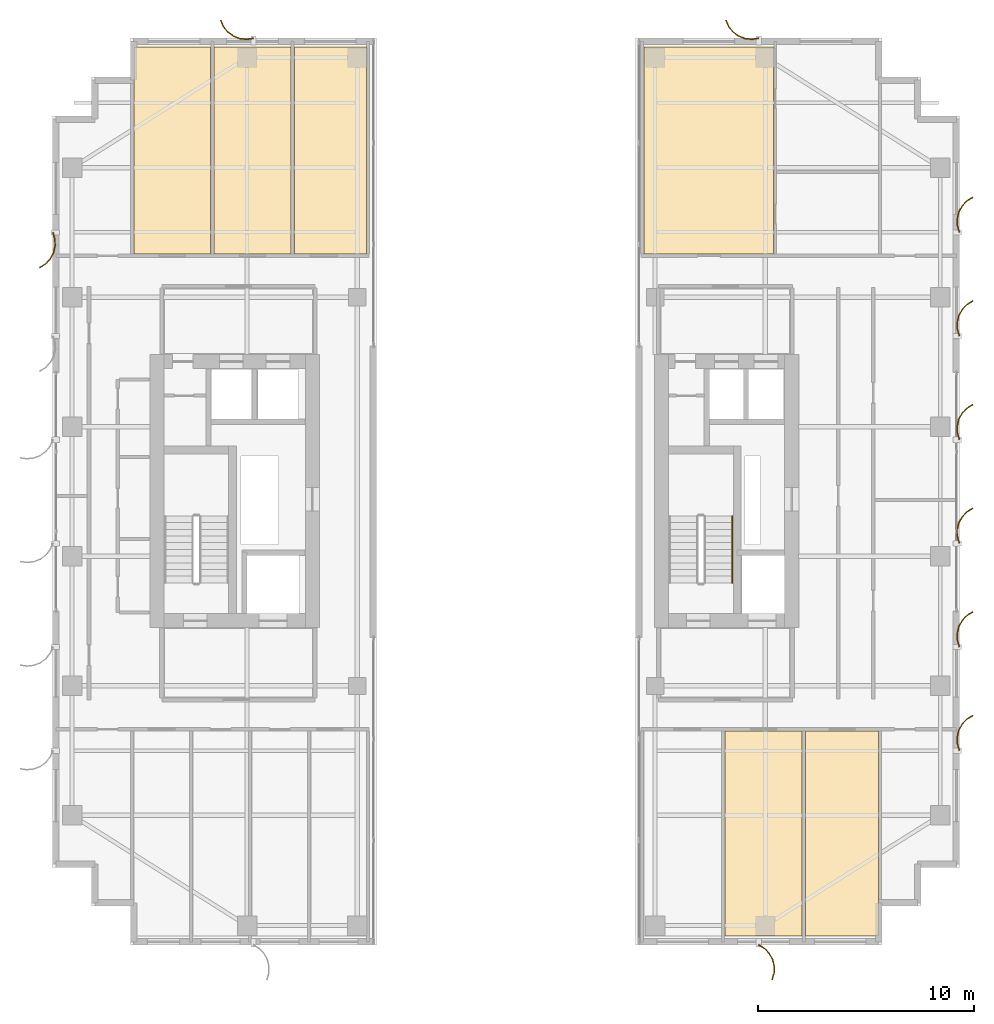
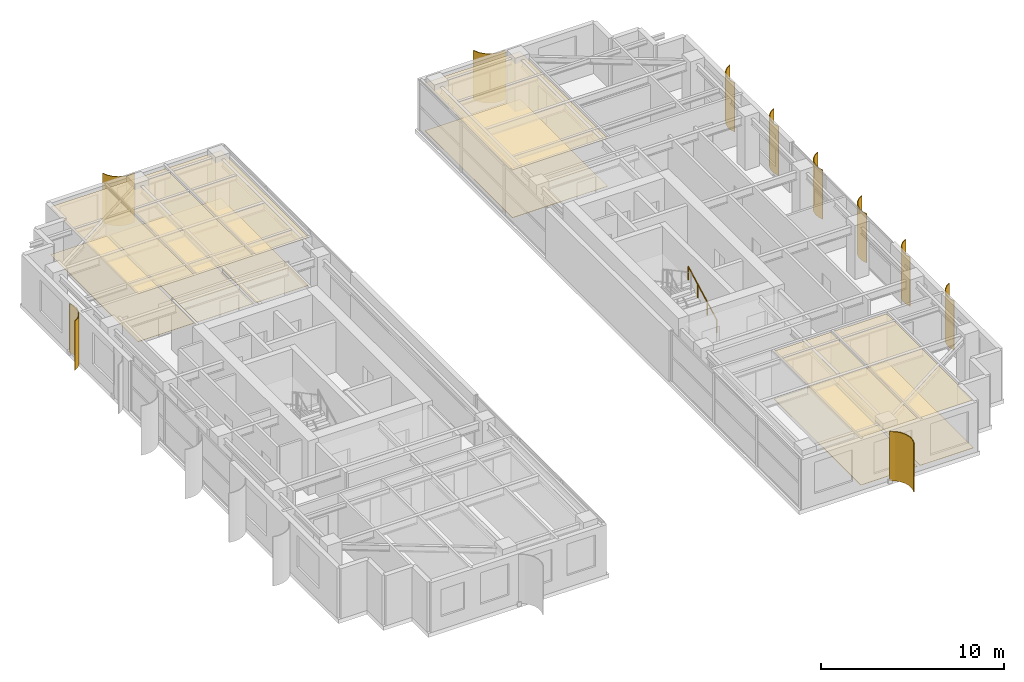
# One storey, part 22 of 22: 12 coverings, 10 shading devices, 1 railing.
"""IFC4 building model written with IfcOpenShell, lengths in metres."""

from ifc_helpers import new_model, si_unit, direction, frame, origin, origin_2d, place, context, subcontext, project, spatial, polyline, circle, outline, extrude, source, transform, mapped, material, layer, layer_set, type_object, element, save


model = new_model("IFC4")

# Units and contexts
model_context = context("Model", 3, precision=1e-05, world=origin(), true_north=direction((0.0, 1.0)))
body_context = subcontext(model_context, "Body", "Model", "MODEL_VIEW")
ifc_project = project(units=[si_unit("LENGTHUNIT", "METRE"), si_unit("AREAUNIT", "SQUARE_METRE"), si_unit("VOLUMEUNIT", "CUBIC_METRE"), si_unit("PLANEANGLEUNIT", "RADIAN"), si_unit("MASSUNIT", "GRAM", prefix="KILO")], contexts=[model_context])

# Site, building, storey
site_placement = place(None, origin())
site = spatial("IfcSite", under=ifc_project, at=site_placement, CompositionType="ELEMENT")
building_placement = place(site_placement, origin())
building = spatial("IfcBuilding", under=site, at=building_placement, Name="Khoralis Quay Care Tower", CompositionType="ELEMENT")
storey_placement = place(building_placement, frame((0.0, 0.0, 188.10009765625)))
storey = spatial("IfcBuildingStorey", under=building, at=storey_placement, Name="L49", CompositionType="ELEMENT", Elevation=188.10009765625)

# Coverings
ifc_material_1 = material(Name="Mineral-fibre acoustic ceiling tile")
ifc_layer_1 = layer(ifc_material_1, 0.01806640625)
ifc_layer_set_1 = layer_set([ifc_layer_1], Name="Mineral-fibre acoustic ceiling tile")
covering_type_1 = type_object("IfcCoveringType", Name="COV-CEIL-AC18", PredefinedType="CEILING", material=ifc_layer_set_1)
covering_1_placement = place(storey_placement, frame((0.0, 0.0, 3.19189453125)))
element("IfcCovering", 1, at=covering_1_placement, inside=storey, type_object=covering_type_1, Name="Suspended Acoustic Ceiling SP-L49-WN-COM0", PredefinedType="CEILING", context=body_context, shape_type="SweptSolid", body=[
    extrude(outline(polyline([(6.760009765625, 32.0), (10.31005859375, 32.0), (10.31005859375, 41.580078125), (6.760009765625, 41.580078125), (6.760009765625, 32.0)])), origin(), (0.0, 0.0, 1.0), 0.01806640625),
])
covering_2_placement = place(storey_placement, frame((0.0, 0.0, 3.19189453125)))
element("IfcCovering", 2, at=covering_2_placement, inside=storey, type_object=covering_type_1, Name="Suspended Acoustic Ceiling SP-L49-WN-COM1", PredefinedType="CEILING", context=body_context, shape_type="SweptSolid", body=[
    extrude(outline(polyline([(10.469970703125, 32.0), (14.030029296875, 32.0), (14.030029296875, 41.580078125), (10.469970703125, 41.580078125), (10.469970703125, 32.0)])), origin(), (0.0, 0.0, 1.0), 0.01806640625),
])
covering_3_placement = place(storey_placement, frame((0.0, 0.0, 3.19189453125)))
element("IfcCovering", 3, at=covering_3_placement, inside=storey, type_object=covering_type_1, Name="Suspended Acoustic Ceiling SP-L49-WN-COM2", PredefinedType="CEILING", context=body_context, shape_type="SweptSolid", body=[
    extrude(outline(polyline([(14.18994140625, 32.0), (17.52001953125, 32.0), (17.52001953125, 41.580078125), (14.18994140625, 41.580078125), (14.18994140625, 32.0)])), origin(), (0.0, 0.0, 1.0), 0.01806640625),
])
covering_4_placement = place(storey_placement, frame((0.0, 0.0, 3.19189453125)))
element("IfcCovering", 4, at=covering_4_placement, inside=storey, type_object=covering_type_1, Name="Suspended Acoustic Ceiling SP-L49-ES-COM1", PredefinedType="CEILING", context=body_context, shape_type="SweptSolid", body=[
    extrude(outline(polyline([(34.1298828125, 0.419921875), (37.7099609375, 0.419921875), (37.7099609375, 9.909912109375), (34.1298828125, 9.909912109375), (34.1298828125, 0.419921875)])), origin(), (0.0, 0.0, 1.0), 0.01806640625),
])
covering_5_placement = place(storey_placement, frame((0.0, 0.0, 3.19189453125)))
element("IfcCovering", 5, at=covering_5_placement, inside=storey, type_object=covering_type_1, Name="Suspended Acoustic Ceiling SP-L49-ES-COM2", PredefinedType="CEILING", context=body_context, shape_type="SweptSolid", body=[
    extrude(outline(polyline([(37.8701171875, 0.419921875), (41.239990234375, 0.419921875), (41.239990234375, 9.909912109375), (37.8701171875, 9.909912109375), (37.8701171875, 0.419921875)])), origin(), (0.0, 0.0, 1.0), 0.01806640625),
])
covering_6_placement = place(storey_placement, frame((0.0, 0.0, 3.19189453125)))
element("IfcCovering", 6, at=covering_6_placement, inside=storey, type_object=covering_type_1, Name="Suspended Acoustic Ceiling SP-L49-EN-STU0", PredefinedType="CEILING", context=body_context, shape_type="SweptSolid", body=[
    extrude(outline(polyline([(30.3798828125, 32.0), (36.39111328125, 32.0), (36.39111328125, 41.580078125), (30.3798828125, 41.580078125), (30.3798828125, 32.0)])), origin(), (0.0, 0.0, 1.0), 0.01806640625),
])
ifc_material_2 = material(Name="Porcelain and non-slip vinyl flooring")
ifc_layer_2 = layer(ifc_material_2, 0.02001953125)
ifc_layer_set_2 = layer_set([ifc_layer_2], Name="Porcelain and non-slip vinyl flooring")
covering_type_2 = type_object("IfcCoveringType", Name="COV-FLOOR-20", PredefinedType="FLOORING", material=ifc_layer_set_2)
covering_7_placement = place(storey_placement, origin())
element("IfcCovering", 7, at=covering_7_placement, inside=storey, type_object=covering_type_2, Name="Resilient Healthcare Flooring SP-L49-WN-COM0", PredefinedType="FLOORING", context=body_context, shape_type="SweptSolid", body=[
    extrude(outline(polyline([(6.760009765625, 32.0), (10.31005859375, 32.0), (10.31005859375, 41.580078125), (6.760009765625, 41.580078125), (6.760009765625, 32.0)])), origin(), (0.0, 0.0, 1.0), 0.02001953125),
])
covering_8_placement = place(storey_placement, origin())
element("IfcCovering", 8, at=covering_8_placement, inside=storey, type_object=covering_type_2, Name="Resilient Healthcare Flooring SP-L49-WN-COM1", PredefinedType="FLOORING", context=body_context, shape_type="SweptSolid", body=[
    extrude(outline(polyline([(10.469970703125, 32.0), (14.030029296875, 32.0), (14.030029296875, 41.580078125), (10.469970703125, 41.580078125), (10.469970703125, 32.0)])), origin(), (0.0, 0.0, 1.0), 0.02001953125),
])
covering_9_placement = place(storey_placement, origin())
element("IfcCovering", 9, at=covering_9_placement, inside=storey, type_object=covering_type_2, Name="Resilient Healthcare Flooring SP-L49-WN-COM2", PredefinedType="FLOORING", context=body_context, shape_type="SweptSolid", body=[
    extrude(outline(polyline([(14.18994140625, 32.0), (17.52001953125, 32.0), (17.52001953125, 41.580078125), (14.18994140625, 41.580078125), (14.18994140625, 32.0)])), origin(), (0.0, 0.0, 1.0), 0.02001953125),
])
covering_10_placement = place(storey_placement, origin())
element("IfcCovering", 10, at=covering_10_placement, inside=storey, type_object=covering_type_2, Name="Resilient Healthcare Flooring SP-L49-ES-COM1", PredefinedType="FLOORING", context=body_context, shape_type="SweptSolid", body=[
    extrude(outline(polyline([(34.1298828125, 0.419921875), (37.7099609375, 0.419921875), (37.7099609375, 9.909912109375), (34.1298828125, 9.909912109375), (34.1298828125, 0.419921875)])), origin(), (0.0, 0.0, 1.0), 0.02001953125),
])
covering_11_placement = place(storey_placement, origin())
element("IfcCovering", 11, at=covering_11_placement, inside=storey, type_object=covering_type_2, Name="Resilient Healthcare Flooring SP-L49-ES-COM2", PredefinedType="FLOORING", context=body_context, shape_type="SweptSolid", body=[
    extrude(outline(polyline([(37.8701171875, 0.419921875), (41.239990234375, 0.419921875), (41.239990234375, 9.909912109375), (37.8701171875, 9.909912109375), (37.8701171875, 0.419921875)])), origin(), (0.0, 0.0, 1.0), 0.02001953125),
])
covering_12_placement = place(storey_placement, origin())
element("IfcCovering", 12, at=covering_12_placement, inside=storey, type_object=covering_type_2, Name="Resilient Healthcare Flooring SP-L49-EN-STU0", PredefinedType="FLOORING", context=body_context, shape_type="SweptSolid", body=[
    extrude(outline(polyline([(30.3798828125, 32.0), (36.39111328125, 32.0), (36.39111328125, 41.580078125), (30.3798828125, 41.580078125), (30.3798828125, 32.0)])), origin(), (0.0, 0.0, 1.0), 0.02001953125),
])

# Railing
ifc_material_3 = material(Name="Brushed stainless steel", Category="steel")
railing_type = type_object("IfcRailingType", Name="RL-HAND-900", PredefinedType="HANDRAIL", material=ifc_material_3)
railing_placement = place(storey_placement, frame((34.469970703125, 16.77001953125, 0.16357421875)))
element("IfcRailing", 13, at=railing_placement, inside=storey, type_object=railing_type, Name="L49 ST-T2 stair handrail 1", PredefinedType="HANDRAIL", context=body_context, shape_type="SweptSolid", body=[
    extrude(circle(Radius=0.02392578125, at=origin_2d()), frame((0.0, 0.0, 0.8759765625), z_axis=(0.0, 0.884376766648, 0.46677375099), x_axis=(-1.0, 0.0, 0.0)), (0.0, 0.0, 1.0), 3.50537109375),
    extrude(circle(Radius=0.02099609375, at=origin_2d()), origin(), (0.0, 0.0, 1.0), 0.851806640625),
    extrude(circle(Radius=0.02099609375, at=origin_2d()), frame((0.0, 1.033447265625, 0.54541015625)), (0.0, 0.0, 1.0), 0.851806640625),
    extrude(circle(Radius=0.02099609375, at=origin_2d()), frame((0.0, 2.066650390625, 1.0908203125)), (0.0, 0.0, 1.0), 0.851806640625),
    extrude(circle(Radius=0.02099609375, at=origin_2d()), frame((0.0, 3.10009765625, 1.63623046875)), (0.0, 0.0, 1.0), 0.851806640625),
])

# Shading devices
ifc_material_4 = material(Name="Brushed pale anodised aluminium", Category="aluminium")
ifc_layer_3 = layer(ifc_material_4, 0.044921875)
ifc_layer_set_3 = layer_set([ifc_layer_3], Name="Brushed pale anodised aluminium")
shading_device_type = type_object("IfcShadingDeviceType", Name="SHD-FIN-1250", PredefinedType="USERDEFINED", material=ifc_layer_set_3)
shared_shape_1 = source(origin(), body_context, "Body", "SweptSolid", [
    extrude(outline(polyline([(0.0, 0.0), (0.17041015625, 0.2783203125), (0.4072265625, 0.5029296875), (0.694091796875, 0.658447265625), (1.01123046875, 0.734619140625), (1.33740234375, 0.72607421875), (1.650390625, 0.633544921875), (1.632080078125, 0.59228515625), (1.330322265625, 0.681640625), (1.015869140625, 0.68994140625), (0.710205078125, 0.616455078125), (0.43359375, 0.466552734375), (0.20556640625, 0.25), (0.041015625, -0.018310546875), (0.0, 0.0)])), origin(), (0.0, 0.0, 1.0), 3.27978515625),
])
shading_device_placement = place(storey_placement, frame((35.699951171875, 0.030029296875, 0.02001953125), z_axis=(0.0, 0.0, 1.0), x_axis=(0.0, -1.0, 0.0)))
element("IfcShadingDevice", 14, at=shading_device_placement, inside=storey, type_object=shading_device_type, Name="L49 Curved Solar Fin P2E0-01", ObjectType="FIN", PredefinedType="USERDEFINED", context=body_context, shape_type="MappedRepresentation", body=[
    mapped(shared_shape_1, transform((0.0, 0.0, 0.0), scale=1.0)),
])
shared_shape_2 = source(origin(), body_context, "Body", "SweptSolid", [
    extrude(outline(polyline([(0.0, 0.0), (-0.04833984375, 0.32275390625), (-0.01123046875, 0.64697265625), (0.1083984375, 0.950439453125), (0.302490234375, 1.212890625), (0.557861328125, 1.416015625), (0.85693359375, 1.546142578125), (0.869384765625, 1.5029296875), (0.5810546875, 1.37744140625), (0.334716796875, 1.181640625), (0.147705078125, 0.9287109375), (0.032470703125, 0.635986328125), (-0.003173828125, 0.323486328125), (0.043212890625, 0.012451171875), (0.0, 0.0)])), origin(), (0.0, 0.0, 1.0), 3.27978515625),
])
for number, where, z_axis, x_axis, name in (
    (15, (12.300048828125, 41.969970703125, 0.02001953125), (0.0, 0.0, 1.0), (0.0, 1.0, 0.0), "L49 Curved Solar Fin P1E2-01"),
    (16, (35.699951171875, 41.969970703125, 0.02001953125), (0.0, 0.0, 1.0), (0.0, 1.0, 0.0), "L49 Curved Solar Fin P2E10-01"),
):
    element("IfcShadingDevice", number, at=place(storey_placement, frame(where, z_axis=z_axis, x_axis=x_axis)), inside=storey, type_object=shading_device_type, Name=name, ObjectType="FIN", PredefinedType="USERDEFINED", context=body_context, shape_type="MappedRepresentation", body=[
        mapped(shared_shape_2, transform((0.0, 0.0, 0.0), scale=1.0)),
    ])
shared_shape_3 = source(origin(), body_context, "Body", "SweptSolid", [
    extrude(outline(polyline([(0.0, 0.0), (-0.0927734375, 0.31298828125), (-0.101318359375, 0.63916015625), (-0.025146484375, 0.956298828125), (0.130615234375, 1.2431640625), (0.355224609375, 1.479736328125), (0.633544921875, 1.650390625), (0.65185546875, 1.609130859375), (0.383544921875, 1.44482421875), (0.1669921875, 1.216796875), (0.01708984375, 0.940185546875), (-0.056396484375, 0.63427734375), (-0.04833984375, 0.31982421875), (0.041015625, 0.018310546875), (0.0, 0.0)])), origin(), (0.0, 0.0, 1.0), 3.27978515625),
])
for number, where, z_axis, x_axis, name in (
    (17, (3.030029296875, 33.0, 0.02001953125), (0.0, 0.0, 1.0), (-1.0, 0.0, 0.0), "L49 Curved Solar Fin P1E7-01"),
    (18, (44.969970703125, 9.0, 0.02001953125), (0.0, 0.0, 1.0), (1.0, 0.0, 0.0), "L49 Curved Solar Fin P2E5-01"),
    (19, (44.969970703125, 13.800048828125, 0.02001953125), (0.0, 0.0, 1.0), (1.0, 0.0, 0.0), "L49 Curved Solar Fin P2E5-02"),
    (20, (44.969970703125, 18.60009765625, 0.02001953125), (0.0, 0.0, 1.0), (1.0, 0.0, 0.0), "L49 Curved Solar Fin P2E5-03"),
    (21, (44.969970703125, 23.39990234375, 0.02001953125), (0.0, 0.0, 1.0), (1.0, 0.0, 0.0), "L49 Curved Solar Fin P2E5-04"),
    (22, (44.969970703125, 28.199951171875, 0.02001953125), (0.0, 0.0, 1.0), (1.0, 0.0, 0.0), "L49 Curved Solar Fin P2E5-05"),
    (23, (44.969970703125, 33.0, 0.02001953125), (0.0, 0.0, 1.0), (1.0, 0.0, 0.0), "L49 Curved Solar Fin P2E5-06"),
):
    element("IfcShadingDevice", number, at=place(storey_placement, frame(where, z_axis=z_axis, x_axis=x_axis)), inside=storey, type_object=shading_device_type, Name=name, ObjectType="FIN", PredefinedType="USERDEFINED", context=body_context, shape_type="MappedRepresentation", body=[
        mapped(shared_shape_3, transform((0.0, 0.0, 0.0), scale=1.0)),
    ])

save(model, "model.ifc")
